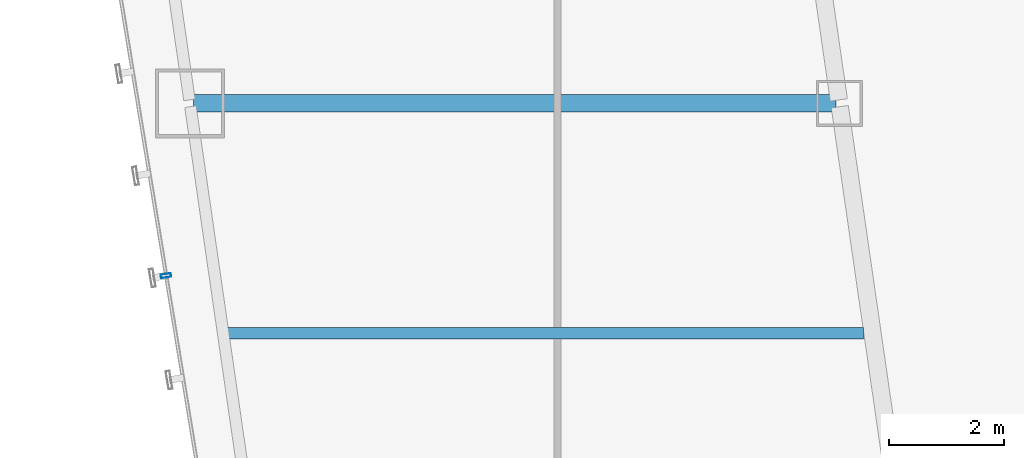
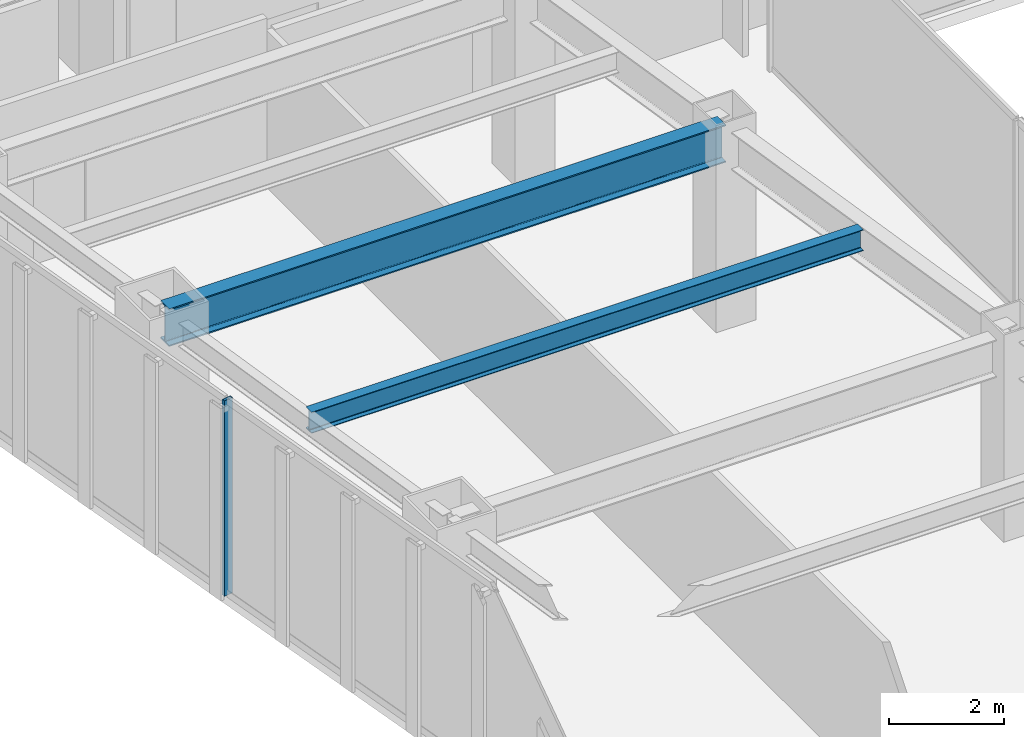
# One storey, part 11 of 47: 2 beams, 1 member, 1 element without a shape of its own.
"""IFC4 building model written with IfcOpenShell, lengths in metres."""

from ifc_helpers import new_model, si_unit, direction, frame, origin, origin_2d, place, context, subcontext, project, spatial, hollow_rectangle, i_section, extrude, material, material_profile, profile_set, type_object, element, aggregate, save


model = new_model("IFC4")

# Units and contexts
model_context = context("Model", 3, precision=1e-05, world=origin(), true_north=direction((0.0, 1.0)))
body_context = subcontext(model_context, "Body", "Model", "MODEL_VIEW")
ifc_project = project(units=[si_unit("LENGTHUNIT", "METRE"), si_unit("AREAUNIT", "SQUARE_METRE"), si_unit("VOLUMEUNIT", "CUBIC_METRE"), si_unit("PLANEANGLEUNIT", "RADIAN"), si_unit("MASSUNIT", "GRAM", prefix="KILO")], contexts=[model_context])

# Site, building, storey
site_placement = place(None, origin())
site = spatial("IfcSite", under=ifc_project, at=site_placement, CompositionType="ELEMENT")
building_placement = place(site_placement, origin())
building = spatial("IfcBuilding", under=site, at=building_placement, Name="Saevonmaru Cultural Tower", CompositionType="ELEMENT")
storey_placement = place(building_placement, frame((0.0, 0.0, 60.39990234375)))
storey = spatial("IfcBuildingStorey", under=building, at=storey_placement, Name="L12", CompositionType="ELEMENT", Elevation=60.39990234375)

# Beams
ifc_material_1 = material(Name="Steel SM420", Category="steel")
ifc_material_profile_1 = material_profile(ifc_material_1, i_section(OverallWidth=0.300048828125, OverallDepth=0.800048828125, WebThickness=0.013916015625, FlangeThickness=0.02587890625, FilletRadius=0.028076171875, at=origin_2d()), Name="H-800x300x14x26")
ifc_profile_set_1 = profile_set([ifc_material_profile_1], Name="Steel SM420")
beam_type_1 = type_object("IfcBeamType", Name="BM-G-H800", PredefinedType="BEAM", material=ifc_profile_set_1)
beam_1_placement = place(storey_placement, frame((8.376953125, 32.0, 3.75), z_axis=(1.0, 0.0, 0.0), x_axis=(0.0, 1.0, 0.0)))
element("IfcBeam", 1, at=beam_1_placement, inside=storey, type_object=beam_type_1, Name="L12 West Wing Transverse Girder 5", PredefinedType="BEAM", context=body_context, shape_type="SweptSolid", body=[
    extrude(i_section(OverallWidth=0.300048828125, OverallDepth=0.800048828125, WebThickness=0.013916015625, FlangeThickness=0.02587890625, FilletRadius=0.028076171875, at=origin_2d()), origin(), (0.0, 0.0, 1.0), 11.179931640625),
])
ifc_material_2 = material(Name="Steel SM355", Category="steel")
ifc_material_profile_2 = material_profile(ifc_material_2, i_section(OverallWidth=0.199951171875, OverallDepth=0.449951171875, WebThickness=0.009033203125, FlangeThickness=0.013916015625, FilletRadius=0.01806640625, at=origin_2d()), Name="H-450x200x9x14")
ifc_profile_set_2 = profile_set([ifc_material_profile_2], Name="Steel SM355")
beam_type_2 = type_object("IfcBeamType", Name="BM-J-H450", PredefinedType="JOIST", material=ifc_profile_set_2)
beam_2_placement = place(storey_placement, frame((8.95458984375, 28.0, 3.925048828125), z_axis=(1.0, 0.0, 0.0), x_axis=(0.0, 1.0, 0.0)))
element("IfcBeam", 2, at=beam_2_placement, inside=storey, type_object=beam_type_2, Name="L12 West Wing Floor Joist 4", PredefinedType="JOIST", context=body_context, shape_type="SweptSolid", body=[
    extrude(i_section(OverallWidth=0.199951171875, OverallDepth=0.449951171875, WebThickness=0.009033203125, FlangeThickness=0.013916015625, FilletRadius=0.01806640625, at=origin_2d()), origin(), (0.0, 0.0, 1.0), 11.08203125),
])

# Curtain wall, member
ifc_material_3 = material(Name="Satin Bronze Anodised Aluminium", Category="aluminium")
curtain_wall_type = type_object("IfcCurtainWallType", Name="CW-TYP-A", PredefinedType="NOTDEFINED", material=ifc_material_3)
curtain_wall_placement = place(storey_placement, origin())
curtain_wall = element("IfcCurtainWall", 3, at=curtain_wall_placement, inside=storey, type_object=curtain_wall_type, Name="L12 Unitised Curtain Wall E12", PredefinedType="NOTDEFINED")
ifc_material_profile_3 = material_profile(ifc_material_3, hollow_rectangle(XDim=0.06494140625, YDim=0.179931640625, WallThickness=0.00390625, at=origin_2d()), Name="ALU-MULL-180x65x4")
ifc_profile_set_3 = profile_set([ifc_material_profile_3], Name="Satin Bronze Anodised Aluminium")
member_type = type_object("IfcMemberType", Name="ML-CW-180x65", PredefinedType="MULLION", material=ifc_profile_set_3)
member_placement = place(storey_placement, frame((7.89990234375, 29.0, 0.0), z_axis=(0.0, 0.0, 1.0), x_axis=(0.161708868641, -0.986838508472, 0.0)))
member = element("IfcMember", 4, at=member_placement, type_object=member_type, Name="CW-TW-L12-E12 mullion 3", PredefinedType="MULLION", context=body_context, shape_type="SweptSolid", body=[
    extrude(hollow_rectangle(XDim=0.06494140625, YDim=0.179931640625, WallThickness=0.00390625, at=origin_2d()), origin(), (0.0, 0.0, 1.0), 4.150146484375),
])
aggregate(curtain_wall, [member])

save(model, "model.ifc")
